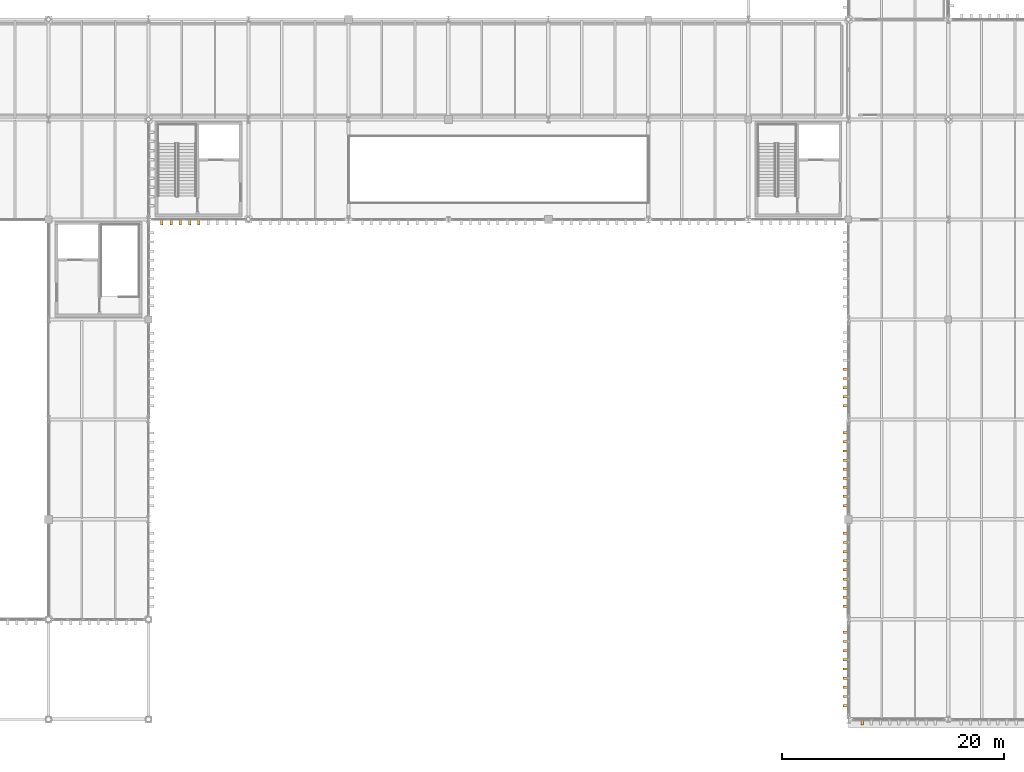
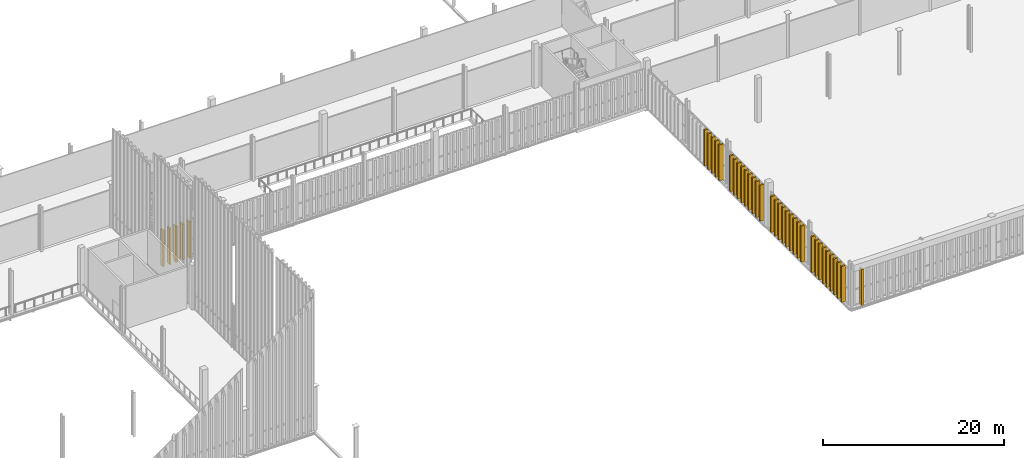
# One storey, part 216 of 237: 38 shading devices.
"""IFC4 building model written with IfcOpenShell, lengths in metres."""

from ifc_helpers import new_model, si_unit, direction, frame, origin, origin_2d, place, context, subcontext, project, spatial, rectangle, extrude, material, type_object, element, save


model = new_model("IFC4")

# Units and contexts
model_context = context("Model", 3, precision=1e-05, world=origin(), true_north=direction((0.0, 1.0)))
body_context = subcontext(model_context, "Body", "Model", "MODEL_VIEW")
ifc_project = project(units=[si_unit("LENGTHUNIT", "METRE"), si_unit("AREAUNIT", "SQUARE_METRE"), si_unit("VOLUMEUNIT", "CUBIC_METRE"), si_unit("PLANEANGLEUNIT", "RADIAN"), si_unit("MASSUNIT", "GRAM", prefix="KILO")], contexts=[model_context])

# Site, building, storey
site_placement = place(None, origin())
site = spatial("IfcSite", under=ifc_project, at=site_placement, CompositionType="ELEMENT")
building_placement = place(site_placement, origin())
building = spatial("IfcBuilding", under=site, at=building_placement, Name="Barlavento Convention Centre", CompositionType="ELEMENT")
storey_placement = place(building_placement, frame((0.0, 0.0, 12.0)))
storey = spatial("IfcBuildingStorey", under=building, at=storey_placement, Name="L02", CompositionType="ELEMENT", Elevation=12.0)

# Shading devices
ifc_material = material(Name="PVDF white extruded aluminium", Category="aluminium")
shading_device_type = type_object("IfcShadingDeviceType", Name="ARC-SHD-FIN-480", PredefinedType="USERDEFINED", material=ifc_material)
for number, where, z_axis, x_axis, name in (
    (1, (64.201171875, 44.760009765625, 0.0), (0.0, 0.0, 1.0), (1.0, 0.0, 0.0), "White vertical solar shading fin VF01"),
    (2, (65.0361328125, 44.760009765625, 0.0), (0.0, 0.0, 1.0), (1.0, 0.0, 0.0), "White vertical solar shading fin VF01"),
    (3, (65.87109375, 44.760009765625, 0.0), (0.0, 0.0, 1.0), (1.0, 0.0, 0.0), "White vertical solar shading fin VF01"),
    (4, (66.706298828125, 44.760009765625, 0.0), (0.0, 0.0, 1.0), (1.0, 0.0, 0.0), "White vertical solar shading fin VF01"),
    (5, (67.54150390625, 44.760009765625, 0.0), (0.0, 0.0, 1.0), (1.0, 0.0, 0.0), "White vertical solar shading fin VF01"),
    (6, (127.246337890625, -0.239990234375, 0.0), (0.0, 0.0, 1.0), (1.0, 0.0, 0.0), "White vertical solar shading fin VF01"),
    (7, (125.760009765625, 1.23828125, 0.0), (0.0, 0.0, 1.0), (0.0, 1.0, 0.0), "White vertical solar shading fin VF01"),
    (8, (125.760009765625, 2.062744140625, 0.0), (0.0, 0.0, 1.0), (0.0, 1.0, 0.0), "White vertical solar shading fin VF01"),
    (9, (125.760009765625, 2.88720703125, 0.0), (0.0, 0.0, 1.0), (0.0, 1.0, 0.0), "White vertical solar shading fin VF01"),
    (10, (125.760009765625, 3.711669921875, 0.0), (0.0, 0.0, 1.0), (0.0, 1.0, 0.0), "White vertical solar shading fin VF01"),
    (11, (125.760009765625, 4.535888671875, 0.0), (0.0, 0.0, 1.0), (0.0, 1.0, 0.0), "White vertical solar shading fin VF01"),
    (12, (125.760009765625, 5.3603515625, 0.0), (0.0, 0.0, 1.0), (0.0, 1.0, 0.0), "White vertical solar shading fin VF01"),
    (13, (125.760009765625, 6.184814453125, 0.0), (0.0, 0.0, 1.0), (0.0, 1.0, 0.0), "White vertical solar shading fin VF01"),
    (14, (125.760009765625, 7.00927734375, 0.0), (0.0, 0.0, 1.0), (0.0, 1.0, 0.0), "White vertical solar shading fin VF01"),
    (15, (125.760009765625, 7.83349609375, 0.0), (0.0, 0.0, 1.0), (0.0, 1.0, 0.0), "White vertical solar shading fin VF01"),
    (16, (125.760009765625, 10.164794921875, 0.0), (0.0, 0.0, 1.0), (0.0, 1.0, 0.0), "White vertical solar shading fin VF01"),
    (17, (125.760009765625, 10.987548828125, 0.0), (0.0, 0.0, 1.0), (0.0, 1.0, 0.0), "White vertical solar shading fin VF01"),
    (18, (125.760009765625, 11.810302734375, 0.0), (0.0, 0.0, 1.0), (0.0, 1.0, 0.0), "White vertical solar shading fin VF01"),
    (19, (125.760009765625, 12.63330078125, 0.0), (0.0, 0.0, 1.0), (0.0, 1.0, 0.0), "White vertical solar shading fin VF01"),
    (20, (125.760009765625, 13.4560546875, 0.0), (0.0, 0.0, 1.0), (0.0, 1.0, 0.0), "White vertical solar shading fin VF01"),
    (21, (125.760009765625, 14.27880859375, 0.0), (0.0, 0.0, 1.0), (0.0, 1.0, 0.0), "White vertical solar shading fin VF01"),
    (22, (125.760009765625, 15.1015625, 0.0), (0.0, 0.0, 1.0), (0.0, 1.0, 0.0), "White vertical solar shading fin VF01"),
    (23, (125.760009765625, 15.92431640625, 0.0), (0.0, 0.0, 1.0), (0.0, 1.0, 0.0), "White vertical solar shading fin VF01"),
    (24, (125.760009765625, 16.747314453125, 0.0), (0.0, 0.0, 1.0), (0.0, 1.0, 0.0), "White vertical solar shading fin VF01"),
    (25, (125.760009765625, 19.248046875, 0.0), (0.0, 0.0, 1.0), (0.0, 1.0, 0.0), "White vertical solar shading fin VF01"),
    (26, (125.760009765625, 20.06591796875, 0.0), (0.0, 0.0, 1.0), (0.0, 1.0, 0.0), "White vertical solar shading fin VF01"),
    (27, (125.760009765625, 20.884033203125, 0.0), (0.0, 0.0, 1.0), (0.0, 1.0, 0.0), "White vertical solar shading fin VF01"),
    (28, (125.760009765625, 21.701904296875, 0.0), (0.0, 0.0, 1.0), (0.0, 1.0, 0.0), "White vertical solar shading fin VF01"),
    (29, (125.760009765625, 22.52001953125, 0.0), (0.0, 0.0, 1.0), (0.0, 1.0, 0.0), "White vertical solar shading fin VF01"),
    (30, (125.760009765625, 23.337890625, 0.0), (0.0, 0.0, 1.0), (0.0, 1.0, 0.0), "White vertical solar shading fin VF01"),
    (31, (125.760009765625, 24.156005859375, 0.0), (0.0, 0.0, 1.0), (0.0, 1.0, 0.0), "White vertical solar shading fin VF01"),
    (32, (125.760009765625, 24.97412109375, 0.0), (0.0, 0.0, 1.0), (0.0, 1.0, 0.0), "White vertical solar shading fin VF01"),
    (33, (125.760009765625, 25.7919921875, 0.0), (0.0, 0.0, 1.0), (0.0, 1.0, 0.0), "White vertical solar shading fin VF01"),
    (34, (125.760009765625, 28.212890625, 0.0), (0.0, 0.0, 1.0), (0.0, 1.0, 0.0), "White vertical solar shading fin VF01"),
    (35, (125.760009765625, 29.035888671875, 0.0), (0.0, 0.0, 1.0), (0.0, 1.0, 0.0), "White vertical solar shading fin VF01"),
    (36, (125.760009765625, 29.85888671875, 0.0), (0.0, 0.0, 1.0), (0.0, 1.0, 0.0), "White vertical solar shading fin VF01"),
    (37, (125.760009765625, 30.681884765625, 0.0), (0.0, 0.0, 1.0), (0.0, 1.0, 0.0), "White vertical solar shading fin VF01"),
    (38, (125.760009765625, 31.5048828125, 0.0), (0.0, 0.0, 1.0), (0.0, 1.0, 0.0), "White vertical solar shading fin VF01"),
):
    element("IfcShadingDevice", number, at=place(storey_placement, frame(where, z_axis=z_axis, x_axis=x_axis)), inside=storey, type_object=shading_device_type, Name=name, ObjectType="FIN", PredefinedType="USERDEFINED", context=body_context, shape_type="SweptSolid", body=[
        extrude(rectangle(XDim=0.219970703125, YDim=0.52001953125, at=origin_2d()), origin(), (0.0, 0.0, 1.0), 4.85009765625),
    ])

save(model, "model.ifc")
